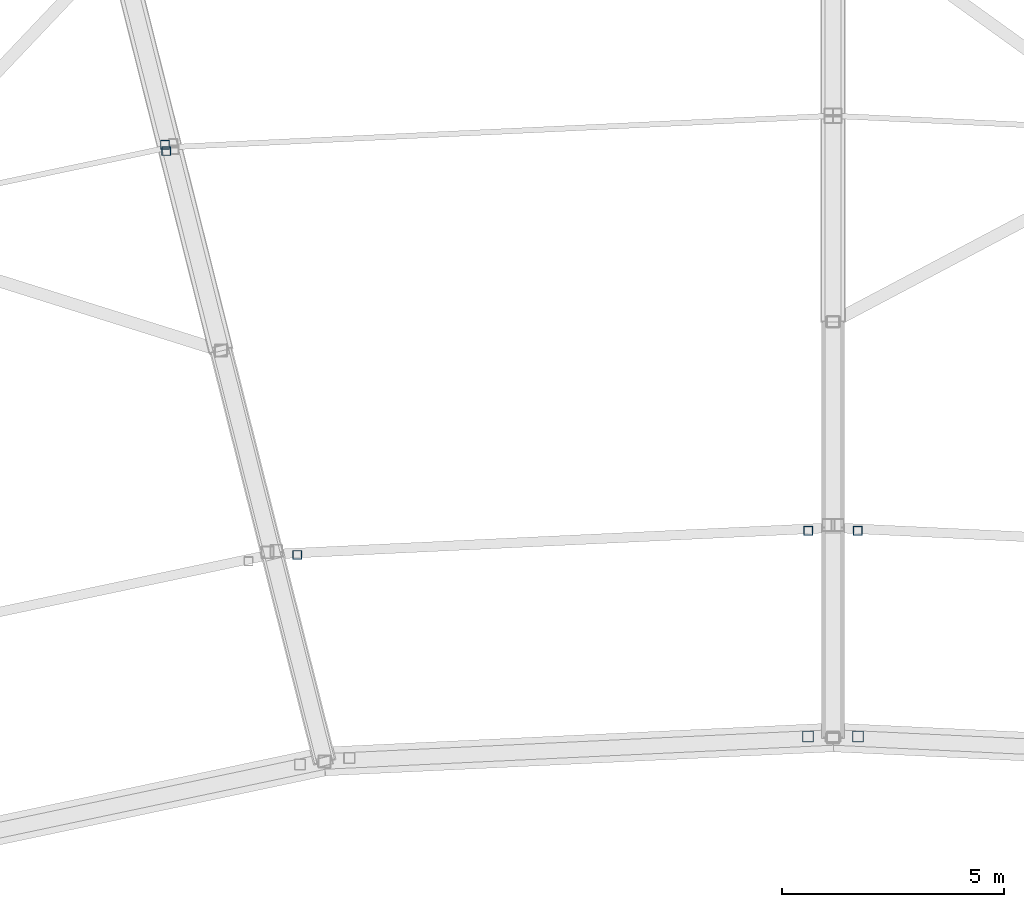
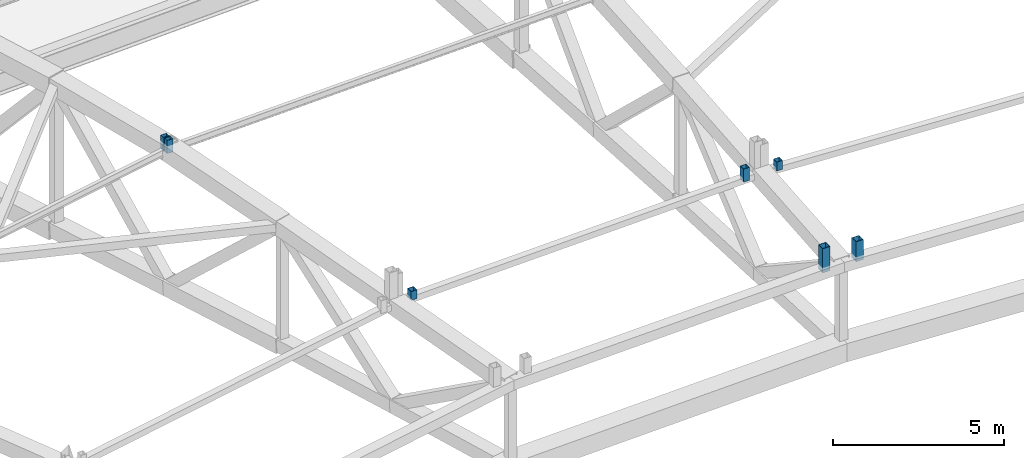
# One storey, part 129 of 162: 7 members.
"""IFC4 building model written with IfcOpenShell, lengths in metres."""

from ifc_helpers import new_model, si_unit, direction, frame, origin, origin_2d, place, context, subcontext, project, spatial, hollow_rectangle, extrude, material, material_profile, profile_set, type_object, element, save


model = new_model("IFC4")

# Units and contexts
model_context = context("Model", 3, precision=1e-05, world=origin(), true_north=direction((0.0, 1.0)))
body_context = subcontext(model_context, "Body", "Model", "MODEL_VIEW")
ifc_project = project(units=[si_unit("LENGTHUNIT", "METRE"), si_unit("AREAUNIT", "SQUARE_METRE"), si_unit("VOLUMEUNIT", "CUBIC_METRE"), si_unit("PLANEANGLEUNIT", "RADIAN"), si_unit("MASSUNIT", "GRAM", prefix="KILO")], contexts=[model_context])

# Site, building, storey
site_placement = place(None, origin())
site = spatial("IfcSite", under=ifc_project, at=site_placement, CompositionType="ELEMENT")
building_placement = place(site_placement, origin())
building = spatial("IfcBuilding", under=site, at=building_placement, Name="Kazemori Nagisa Stadium", CompositionType="ELEMENT")
storey_placement = place(building_placement, frame((0.0, 0.0, 36.719970703125)))
storey = spatial("IfcBuildingStorey", under=building, at=storey_placement, Name="RF", CompositionType="ELEMENT", Elevation=36.719970703125)

# Members
ifc_material = material(Name="Steel STKR490", Category="steel")
ifc_material_profile_1 = material_profile(ifc_material, hollow_rectangle(XDim=0.25, YDim=0.25, WallThickness=0.011962890625, at=origin_2d()), Name="SHS-250x250x12")
ifc_profile_set_1 = profile_set([ifc_material_profile_1], Name="Steel STKR490")
member_type_1 = type_object("IfcMemberType", Name="Member_ST-SHS250", PredefinedType="STUD", material=ifc_profile_set_1)
member_1_placement = place(storey_placement, frame((123.561767578125, 148.031005859375, 4.97998046875), z_axis=(0.0, 0.0, 1.0), x_axis=(1.0, 0.0, 0.0)))
element("IfcMember", 1, at=member_1_placement, inside=storey, type_object=member_type_1, Name="Oculus skylight bearing stool B07-2", PredefinedType="STUD", context=body_context, shape_type="SweptSolid", body=[
    extrude(hollow_rectangle(XDim=0.25, YDim=0.25, WallThickness=0.011962890625, at=origin_2d()), origin(), (0.0, 0.0, 1.0), 0.715087890625),
])
member_2_placement = place(storey_placement, frame((122.438232421875, 148.031005859375, 4.97998046875), z_axis=(0.0, 0.0, 1.0), x_axis=(1.0, 0.0, 0.0)))
element("IfcMember", 2, at=member_2_placement, inside=storey, type_object=member_type_1, Name="Oculus skylight bearing stool B08-1", PredefinedType="STUD", context=body_context, shape_type="SweptSolid", body=[
    extrude(hollow_rectangle(XDim=0.25, YDim=0.25, WallThickness=0.011962890625, at=origin_2d()), origin(), (0.0, 0.0, 1.0), 0.860107421875),
])
ifc_material_profile_2 = material_profile(ifc_material, hollow_rectangle(XDim=0.199951171875, YDim=0.199951171875, WallThickness=0.009033203125, at=origin_2d()), Name="SHS-200x200x9")
ifc_profile_set_2 = profile_set([ifc_material_profile_2], Name="Steel STKR490")
member_type_2 = type_object("IfcMemberType", Name="Member_TS-SHS200", PredefinedType="STRUT", material=ifc_profile_set_2)
for number, where, z_axis, x_axis, name in (
    (3, (123.55810546875, 152.66748046875, 5.380126953125), (0.0, 0.0, 1.0), (1.0, 0.0, 0.0), "Oculus skylight bearing stool B07-3"),
    (4, (110.9208984375, 152.125244140625, 5.525146484375), (0.0, 0.0, 1.0), (1.0, 0.0, 0.0), "Oculus skylight bearing stool B08-3"),
):
    element("IfcMember", number, at=place(storey_placement, frame(where, z_axis=z_axis, x_axis=x_axis)), inside=storey, type_object=member_type_2, Name=name, PredefinedType="STRUT", context=body_context, shape_type="SweptSolid", body=[
        extrude(hollow_rectangle(XDim=0.199951171875, YDim=0.199951171875, WallThickness=0.009033203125, at=origin_2d()), origin(), (0.0, 0.0, 1.0), 0.31494140625),
    ])
member_3_placement = place(storey_placement, frame((122.44189453125, 152.66748046875, 5.380126953125), z_axis=(0.0, 0.0, 1.0), x_axis=(1.0, 0.0, 0.0)))
element("IfcMember", 5, at=member_3_placement, inside=storey, type_object=member_type_2, Name="Oculus skylight bearing stool B08-4", PredefinedType="STRUT", context=body_context, shape_type="SweptSolid", body=[
    extrude(hollow_rectangle(XDim=0.199951171875, YDim=0.199951171875, WallThickness=0.009033203125, at=origin_2d()), origin(), (0.0, 0.0, 1.0), 0.4599609375),
])
for number, where, z_axis, x_axis, name in (
    (6, (107.9365234375, 161.375244140625, 6.26611328125), (0.0, 0.0, 1.0), (1.0, 0.0, 0.0), "Canopy bearing stool B09-mid-4"),
    (7, (107.9609375, 161.233642578125, 6.26611328125), (0.0, 0.0, 1.0), (1.0, 0.0, 0.0), "Canopy bearing stool B09-inner-1"),
):
    element("IfcMember", number, at=place(storey_placement, frame(where, z_axis=z_axis, x_axis=x_axis)), inside=storey, type_object=member_type_2, Name=name, PredefinedType="STRUT", context=body_context, shape_type="SweptSolid", body=[
        extrude(hollow_rectangle(XDim=0.199951171875, YDim=0.199951171875, WallThickness=0.009033203125, at=origin_2d()), origin(), (0.0, 0.0, 1.0), 0.468994140625),
    ])

save(model, "model.ifc")
